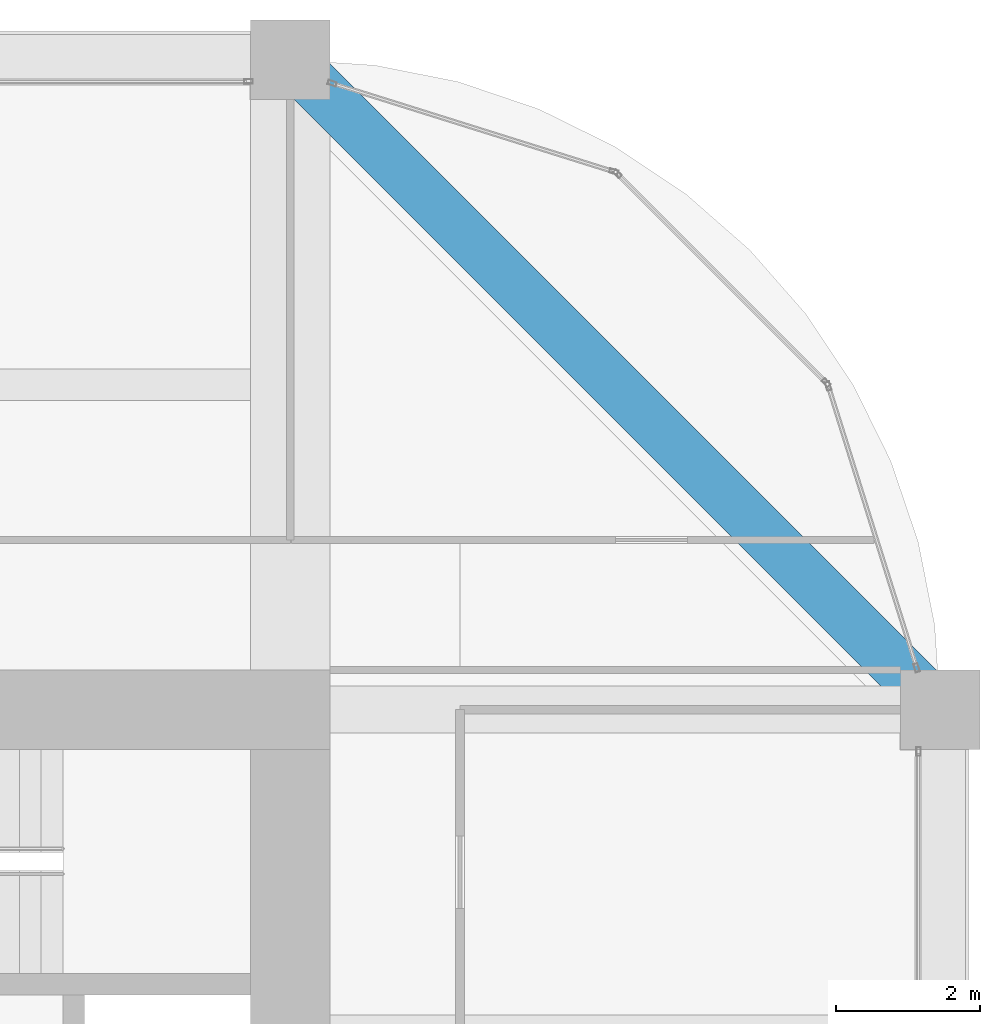
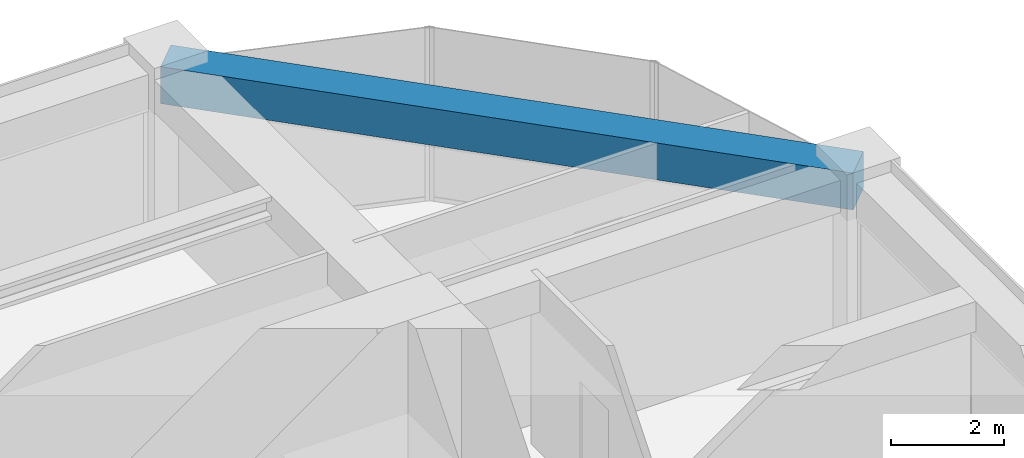
# One storey, part 38 of 44: 1 beam.
"""IFC4 building model written with IfcOpenShell, lengths in metres."""

import ifcopenshell
import ifcopenshell.guid

model = None  # the IFC model being written
_history = None  # IfcOwnerHistory: only IFC2X3 demands one
_inside = {}  # id of a spatial element -> (the spatial element, [elements in it])
_under = {}  # id of a project, library or spatial element -> (it, [spatial elements below it])
_declared = {}  # id of a project -> (the project, [libraries it declares])
_typed = {}  # id of a type object -> (the type object, [elements of that type])
_made_of = {}  # id of a material, layer set ... -> (it, [elements and type objects made of it])


def new_model(schema):
    """Start an empty IFC model of exactly this schema.

    Asked for "IFC4X3", IfcOpenShell would pick the latest addendum, in which some entities
    have other attributes; the version numbers below select the first issue.
    IFC2X3 requires an IfcOwnerHistory on every rooted entity: one is made here for all.
    """
    global model, _history
    if schema == "IFC4X3":
        model = ifcopenshell.file(schema_version=(4, 3, 0, 0))
    else:
        model = ifcopenshell.file(schema=schema)
    _inside.clear()
    _under.clear()
    _declared.clear()
    _typed.clear()
    _made_of.clear()
    _history = None
    if model.schema == "IFC2X3":
        org = make("IfcOrganization", Name="unknown")
        user = make(
            "IfcPersonAndOrganization",
            ThePerson=make("IfcPerson", FamilyName="unknown"),
            TheOrganization=org,
        )
        app = make(
            "IfcApplication",
            ApplicationDeveloper=org,
            Version="unknown",
            ApplicationFullName="unknown",
            ApplicationIdentifier="unknown",
        )
        _history = make(
            "IfcOwnerHistory",
            OwningUser=user,
            OwningApplication=app,
            ChangeAction="ADDED",
            CreationDate=0,
        )
    return model


def make(cls, **values):
    """One entity of the class cls with the attributes given. An attribute that is None is left unset."""
    return model.create_entity(
        cls, **{name: value for name, value in values.items() if value is not None}
    )


def rooted(cls, **values):
    """An entity with a GlobalId (a new one), such as an element, a storey or a relation."""
    return make(cls, GlobalId=ifcopenshell.guid.new(), OwnerHistory=_history, **values)


def si_unit(unit_type, name, prefix=None):
    """IfcSIUnit, for example si_unit("LENGTHUNIT", "METRE", prefix="MILLI")."""
    return make("IfcSIUnit", UnitType=unit_type, Prefix=prefix, Name=name)


def assignment(units):
    """IfcUnitAssignment: the units of a project."""
    return None if units is None else make("IfcUnitAssignment", Units=units)


def point(xyz):
    """IfcCartesianPoint."""
    return None if xyz is None else make("IfcCartesianPoint", Coordinates=xyz)


def direction(xyz):
    """IfcDirection."""
    return None if xyz is None else make("IfcDirection", DirectionRatios=xyz)


def frame(location, z_axis=None, x_axis=None):
    """IfcAxis2Placement3D, a coordinate frame: its origin and axes. An axis left out is left unset."""
    return make(
        "IfcAxis2Placement3D",
        Location=point(location),
        Axis=direction(z_axis),
        RefDirection=direction(x_axis),
    )


def frame_2d(location, x_axis=None):
    """IfcAxis2Placement2D, a coordinate frame in the plane: its origin and x axis."""
    return make(
        "IfcAxis2Placement2D", Location=point(location), RefDirection=direction(x_axis)
    )


def origin():
    """The frame at (0, 0, 0) with its axes left unset."""
    return frame((0.0, 0.0, 0.0))


def origin_2d():
    """The frame at (0, 0) in the plane with its x axis left unset."""
    return frame_2d((0.0, 0.0))


def place(relative_to, where):
    """IfcLocalPlacement: puts the frame where relative to a parent placement (None: the world)."""
    return make(
        "IfcLocalPlacement", PlacementRelTo=relative_to, RelativePlacement=where
    )


def context(
    kind, dimensions, precision=None, world=None, true_north=None, identifier=None
):
    """IfcGeometricRepresentationContext, for example the 3D "Model" context."""
    return make(
        "IfcGeometricRepresentationContext",
        ContextIdentifier=identifier,
        ContextType=kind,
        CoordinateSpaceDimension=dimensions,
        Precision=precision,
        WorldCoordinateSystem=world,
        TrueNorth=true_north,
    )


def subcontext(parent, identifier, kind, view, scale=None):
    """IfcGeometricRepresentationSubContext, for example "Body" below "Model"."""
    return make(
        "IfcGeometricRepresentationSubContext",
        ContextIdentifier=identifier,
        ContextType=kind,
        ParentContext=parent,
        TargetScale=scale,
        TargetView=view,
    )


def project(units=None, contexts=None):
    """IfcProject with its units and contexts."""
    return rooted(
        "IfcProject",
        Name="project",
        RepresentationContexts=contexts,
        UnitsInContext=assignment(units),
    )


def spatial(cls, under=None, at=None, **own):
    """A site, building, storey or space (cls), placed at a placement, below another one or the project."""
    s = rooted(cls, ObjectPlacement=at, **own)
    if under is not None:
        _under.setdefault(under.id(), (under, []))[1].append(s)
    return s


def profile(cls, at=None, kind="AREA", **sizes):
    """A parametric profile (cls). Its sizes go by their IFC names, for example OverallWidth=200.0."""
    return make(cls, ProfileType=kind, Position=at, **sizes)


def rectangle(**sizes):
    """IfcRectangleProfileDef."""
    return profile("IfcRectangleProfileDef", **sizes)


def extrude(swept, where, along, depth):
    """IfcExtrudedAreaSolid: the profile swept, set in the frame where, extruded along a direction by depth."""
    return make(
        "IfcExtrudedAreaSolid",
        SweptArea=swept,
        Position=where,
        ExtrudedDirection=direction(along),
        Depth=depth,
    )


def shape(context_of_items, identifier, shape_type, items):
    """IfcShapeRepresentation: the items that make up one representation, for example the "Body"."""
    return make(
        "IfcShapeRepresentation",
        ContextOfItems=context_of_items,
        RepresentationIdentifier=identifier,
        RepresentationType=shape_type,
        Items=items,
    )


def material(Name=None, Category=None):
    """IfcMaterial."""
    return make("IfcMaterial", Name=Name, Category=Category)


def material_profile(
    of_material, cross_section, Name=None, Category=None, Priority=None
):
    """IfcMaterialProfile: a cross section and its material."""
    return make(
        "IfcMaterialProfile",
        Name=Name,
        Material=of_material,
        Profile=cross_section,
        Priority=Priority,
        Category=Category,
    )


def profile_set(profiles, Name=None, composite=None):
    """IfcMaterialProfileSet."""
    return make(
        "IfcMaterialProfileSet",
        Name=Name,
        MaterialProfiles=profiles,
        CompositeProfile=composite,
    )


def made_of(thing, what):
    """Note that an element or type object is made of a material, layer set ...; save() writes the relation."""
    if what is not None:
        _made_of.setdefault(what.id(), (what, []))[1].append(thing)
    return thing


def type_object(cls, material=None, **own):
    """A type object (cls), such as IfcWallType, which elements share."""
    return made_of(rooted(cls, **own), material)


def element(
    cls,
    number,
    at=None,
    inside=None,
    cuts=None,
    type_object=None,
    material=None,
    context=None,
    identifier="Body",
    shape_type=None,
    held_by="IfcProductDefinitionShape",
    body=None,
    shapes=None,
    **own,
):
    """One element of the class cls, such as IfcWall. Its Tag is "e" and its number.

    at: its placement. inside: the storey or other place that contains it. cuts: it is an
    opening in that element (IfcRelVoidsElement). A single representation is given by context,
    identifier, shape_type and body (its items); several are given by shapes. held_by: the class
    of the entity that holds the representations. save() writes the other relations.
    """
    e = rooted(cls, Tag="e%d" % number, ObjectPlacement=at, **own)
    if body is not None:
        shapes = [shape(context, identifier, shape_type, body)]
    if shapes is not None:
        e.Representation = make(held_by, Representations=shapes)
    if inside is not None:
        _inside.setdefault(inside.id(), (inside, []))[1].append(e)
    if cuts is not None:
        rooted(
            "IfcRelVoidsElement", RelatingBuildingElement=cuts, RelatedOpeningElement=e
        )
    if type_object is not None:
        _typed.setdefault(type_object.id(), (type_object, []))[1].append(e)
    return made_of(e, material)


def aggregate(whole, parts):
    """IfcRelAggregates: a whole, such as a stair, and the parts it consists of."""
    return rooted("IfcRelAggregates", RelatingObject=whole, RelatedObjects=parts)


def save(model, path):
    """Write the relations noted so far, then the file.

    IfcRelAggregates (storeys below a building ...), IfcRelContainedInSpatialStructure (elements
    in a storey), IfcRelDefinesByType, IfcRelAssociatesMaterial and IfcRelDeclares: one each for
    every whole, place, type object, material and project.
    """
    for whole, parts in _under.values():
        aggregate(whole, parts)
    for where, things in _inside.values():
        rooted(
            "IfcRelContainedInSpatialStructure",
            RelatedElements=things,
            RelatingStructure=where,
        )
    for kind, things in _typed.values():
        rooted("IfcRelDefinesByType", RelatedObjects=things, RelatingType=kind)
    for what, things in _made_of.values():
        rooted("IfcRelAssociatesMaterial", RelatedObjects=things, RelatingMaterial=what)
    for by, libraries in _declared.values():
        rooted("IfcRelDeclares", RelatingContext=by, RelatedDefinitions=libraries)
    model.write(path)


model = new_model("IFC4")

# Units and contexts
model_context = context("Model", 3, precision=1e-05, world=origin(), true_north=direction((0.0, 1.0)))
body_context = subcontext(model_context, "Body", "Model", "MODEL_VIEW")
ifc_project = project(units=[si_unit("LENGTHUNIT", "METRE"), si_unit("AREAUNIT", "SQUARE_METRE"), si_unit("VOLUMEUNIT", "CUBIC_METRE"), si_unit("PLANEANGLEUNIT", "RADIAN"), si_unit("MASSUNIT", "GRAM", prefix="KILO")], contexts=[model_context])

# Site, building, storey
site_placement = place(None, origin())
site = spatial("IfcSite", under=ifc_project, at=site_placement, CompositionType="ELEMENT")
building_placement = place(site_placement, origin())
building = spatial("IfcBuilding", under=site, at=building_placement, Name="Zorevar Civic Tower", CompositionType="ELEMENT")
storey_placement = place(building_placement, frame((0.0, 0.0, 271.39990234375)))
storey = spatial("IfcBuildingStorey", under=building, at=storey_placement, Name="L66", CompositionType="ELEMENT", Elevation=271.39990234375)

# Beam
ifc_material = material(Name="Concrete C50/60", Category="concrete")
ifc_material_profile = material_profile(ifc_material, rectangle(XDim=0.699951171875, YDim=0.800048828125, at=origin_2d()), Name="RC 700x800")
ifc_profile_set = profile_set([ifc_material_profile], Name="Concrete C50/60")
beam_type = type_object("IfcBeamType", Name="Edge beam RC 700x800", PredefinedType="SPANDREL", material=ifc_profile_set)
beam_placement = place(storey_placement, frame((54.0, 36.0, 3.35009765625), z_axis=(-0.707106781187, 0.707106781187, 0.0), x_axis=(-0.707106781187, -0.707106781187, 0.0)))
element("IfcBeam", 1, at=beam_placement, inside=storey, type_object=beam_type, Name="Corner edge beam L67", PredefinedType="SPANDREL", context=body_context, shape_type="SweptSolid", body=[
    extrude(rectangle(XDim=0.699951171875, YDim=0.800048828125, at=origin_2d()), origin(), (0.0, 0.0, 1.0), 12.72802734375),
])

save(model, "model.ifc")
